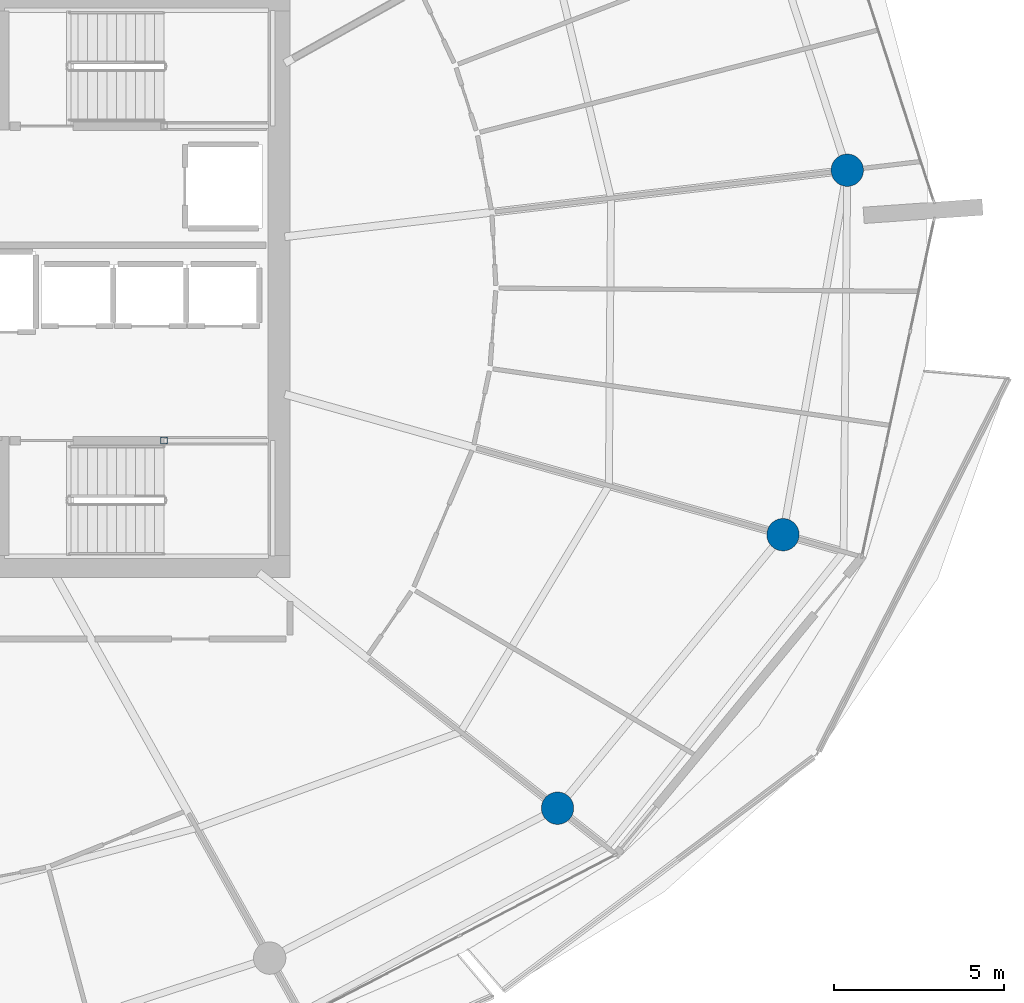
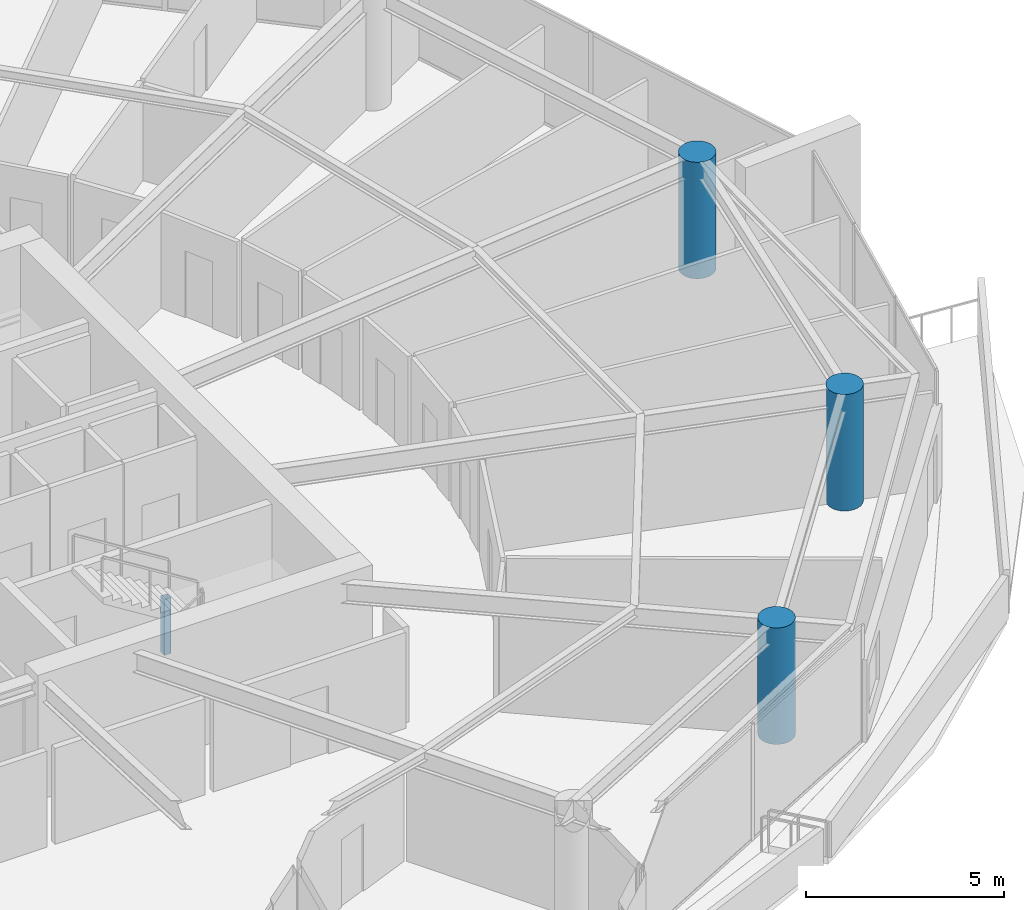
# One storey, part 3 of 31: 4 columns.
"""IFC4 building model written with IfcOpenShell, lengths in metres."""

from ifc_helpers import new_model, si_unit, direction, frame, origin, origin_2d, place, context, subcontext, project, spatial, hollow_rectangle, circle, extrude, material, material_profile, profile_set, type_object, element, save


model = new_model("IFC4")

# Units and contexts
model_context = context("Model", 3, precision=1e-05, world=origin(), true_north=direction((0.0, 1.0)))
body_context = subcontext(model_context, "Body", "Model", "MODEL_VIEW")
ifc_project = project(units=[si_unit("LENGTHUNIT", "METRE"), si_unit("AREAUNIT", "SQUARE_METRE"), si_unit("VOLUMEUNIT", "CUBIC_METRE"), si_unit("PLANEANGLEUNIT", "RADIAN"), si_unit("MASSUNIT", "GRAM", prefix="KILO")], contexts=[model_context])

# Site, building, storey
site_placement = place(None, origin())
site = spatial("IfcSite", under=ifc_project, at=site_placement, CompositionType="ELEMENT")
building_placement = place(site_placement, origin())
building = spatial("IfcBuilding", under=site, at=building_placement, Name="Kazma Halo Residences", CompositionType="ELEMENT")
storey_placement = place(building_placement, frame((0.0, 0.0, 240.550048828125)))
storey = spatial("IfcBuildingStorey", under=building, at=storey_placement, Name="L60", CompositionType="ELEMENT", Elevation=240.550048828125)

# Columns
ifc_material_1 = material(Name="Steel S355", Category="steel")
ifc_material_profile_1 = material_profile(ifc_material_1, hollow_rectangle(XDim=0.199951171875, YDim=0.199951171875, WallThickness=0.010009765625, InnerFilletRadius=0.010009765625, OuterFilletRadius=0.02001953125, at=origin_2d()), Name="SHS200x200x10")
ifc_profile_set_1 = profile_set([ifc_material_profile_1], Name="Steel S355")
column_type_1 = type_object("IfcColumnType", Name="COL-LP-SHS200", PredefinedType="COLUMN", material=ifc_profile_set_1)
column_placement = place(storey_placement, frame((56.0, 37.3798828125, 0.0), z_axis=(0.0, 0.0, 1.0), x_axis=(1.0, 0.0, 0.0)))
element("IfcColumn", 1, at=column_placement, inside=storey, type_object=column_type_1, Name="L60 ST-03 landing pilaster 1", PredefinedType="COLUMN", context=body_context, shape_type="SweptSolid", body=[
    extrude(hollow_rectangle(XDim=0.199951171875, YDim=0.199951171875, WallThickness=0.010009765625, InnerFilletRadius=0.010009765625, OuterFilletRadius=0.02001953125, at=origin_2d()), origin(), (0.0, 0.0, 1.0), 1.719970703125),
])
ifc_material_2 = material(Name="Concrete C60/75", Category="concrete")
ifc_material_profile_2 = material_profile(ifc_material_2, circle(Radius=0.47509765625, at=origin_2d()), Name="CIRC950")
ifc_profile_set_2 = profile_set([ifc_material_profile_2], Name="Concrete C60/75")
column_type_2 = type_object("IfcColumnType", Name="COL-PERIM-950", PredefinedType="COLUMN", material=ifc_profile_set_2)
for number, where, z_axis, x_axis, name in (
    (2, (67.566162109375, 26.5751953125, 0.0), (0.0, 0.0, 1.0), (1.0, 0.0, 0.0), "L60 perimeter ring column P14"),
    (3, (74.19091796875, 34.61328125, 0.0), (0.0, 0.0, 1.0), (1.0, 0.0, 0.0), "L60 perimeter ring column P15"),
    (4, (76.07958984375, 45.323486328125, 0.0), (0.0, 0.0, 1.0), (1.0, 0.0, 0.0), "L60 perimeter ring column P16"),
):
    element("IfcColumn", number, at=place(storey_placement, frame(where, z_axis=z_axis, x_axis=x_axis)), inside=storey, type_object=column_type_2, Name=name, PredefinedType="COLUMN", context=body_context, shape_type="SweptSolid", body=[
        extrude(circle(Radius=0.47509765625, at=origin_2d()), origin(), (0.0, 0.0, 1.0), 3.58984375),
    ])

save(model, "model.ifc")
